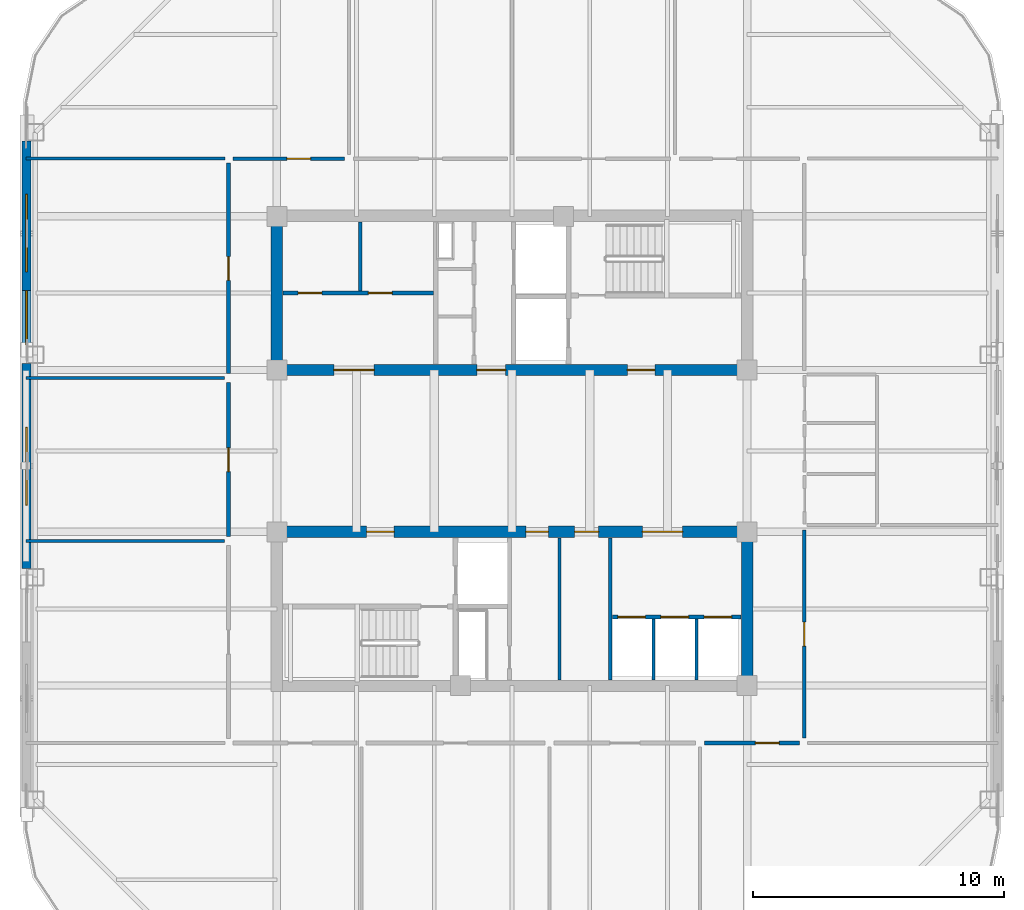
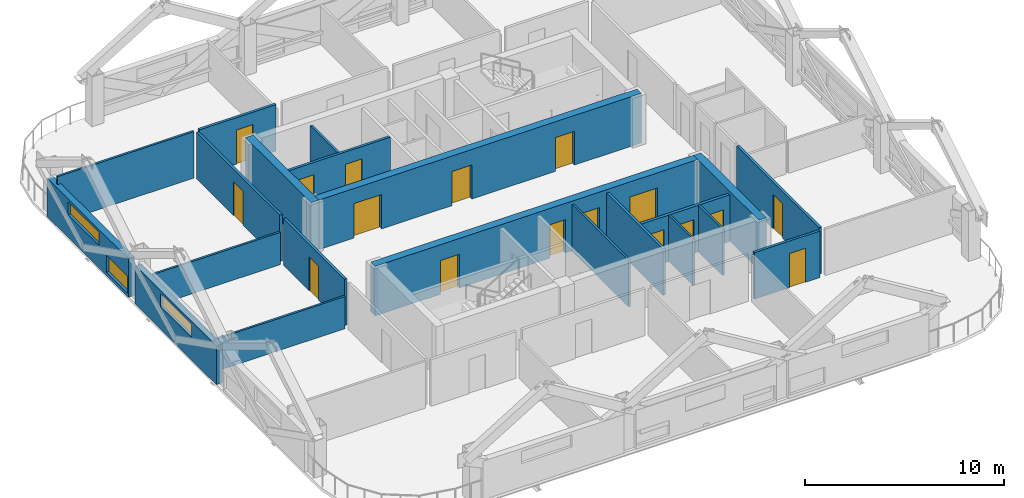
# One storey, part 4 of 9: 21 walls, 17 doors, 3 windows, 20 openings.
"""IFC4 building model written with IfcOpenShell, lengths in metres."""

from ifc_helpers import new_model, si_unit, direction, frame, frame_2d, origin, place, context, subcontext, project, spatial, rectangle, extrude, material, layer, layer_set, type_object, element, fill, save


model = new_model("IFC4")

# Units and contexts
model_context = context("Model", 3, precision=1e-05, world=origin(), true_north=direction((0.0, 1.0)))
body_context = subcontext(model_context, "Body", "Model", "MODEL_VIEW")
ifc_project = project(units=[si_unit("LENGTHUNIT", "METRE"), si_unit("AREAUNIT", "SQUARE_METRE"), si_unit("VOLUMEUNIT", "CUBIC_METRE"), si_unit("PLANEANGLEUNIT", "RADIAN"), si_unit("MASSUNIT", "GRAM", prefix="KILO")], contexts=[model_context])

# Site, building, storey
site_placement = place(None, origin())
site = spatial("IfcSite", under=ifc_project, at=site_placement, CompositionType="ELEMENT")
building_placement = place(site_placement, origin())
building = spatial("IfcBuilding", under=site, at=building_placement, Name="Qhalaya Broadcast Tower", CompositionType="ELEMENT")
storey_placement = place(building_placement, frame((0.0, 0.0, 217.800048828125)))
storey = spatial("IfcBuildingStorey", under=building, at=storey_placement, Name="L64", CompositionType="ELEMENT", Elevation=217.800048828125)

# Wall, openings, doors
ifc_material_1 = material(Name="Gypsum Acoustic Partition")
ifc_layer_1 = layer(ifc_material_1, 0.14990234375, Name="Gypsum Acoustic Partition")
ifc_layer_set_1 = layer_set([ifc_layer_1], Name="Gypsum Acoustic Partition")
wall_type_1 = type_object("IfcWallType", Name="Corridor & Tenancy Acoustic Partition 150", PredefinedType="PARTITIONING", material=ifc_layer_set_1)
wall_1_placement = place(storey_placement, frame((-9.1298828125, 6.89990234375, 0.0), z_axis=(0.0, 0.0, 1.0), x_axis=(1.0, 0.0, 0.0)))
wall_1 = element("IfcWall", 1, at=wall_1_placement, inside=storey, type_object=wall_type_1, Name="L64 Partition Wall NCW-REC1", PredefinedType="PARTITIONING", context=body_context, shape_type="SweptSolid", body=[
    extrude(rectangle(XDim=6.009765625, YDim=0.14990234375, at=frame_2d((3.0048828125, 0.0))), origin(), (0.0, 0.0, 1.0), 2.85986328125),
])
opening_1_placement = place(wall_1_placement, frame((0.60009765625, 0.0, 0.0)))
opening_1 = element("IfcOpeningElement", 2, at=opening_1_placement, cuts=wall_1, Name="Opening D10", PredefinedType="OPENING", context=body_context, shape_type="SweptSolid", body=[
    extrude(rectangle(XDim=0.949951171875, YDim=2.10009765625, at=frame_2d((0.47509765625, 1.050048828125))), frame((0.0, 0.0869140625, 0.0), z_axis=(0.0, -1.0, 0.0), x_axis=(1.0, 0.0, 0.0)), (0.0, 0.0, 1.0), 0.173828125),
])
opening_2_placement = place(wall_1_placement, frame((3.39990234375, 0.0, 0.0)))
opening_2 = element("IfcOpeningElement", 3, at=opening_2_placement, cuts=wall_1, Name="Opening D10", PredefinedType="OPENING", context=body_context, shape_type="SweptSolid", body=[
    extrude(rectangle(XDim=0.949951171875, YDim=2.10009765625, at=frame_2d((0.47509765625, 1.050048828125))), frame((0.0, 0.0869140625, 0.0), z_axis=(0.0, -1.0, 0.0), x_axis=(1.0, 0.0, 0.0)), (0.0, 0.0, 1.0), 0.173828125),
])
ifc_material_2 = material(Name="Timber Veneer Acoustic Door", Category="wood")
door_type_1 = type_object("IfcDoorType", Name="Cellular Office & Edit Booth Door D10", OperationType="NOTDEFINED", PredefinedType="DOOR", material=ifc_material_2)
door_1_placement = place(opening_1_placement, origin())
door_1 = element("IfcDoor", 4, at=door_1_placement, inside=storey, type_object=door_type_1, Name="L64 Door D-NREC1", OperationType="SINGLE_SWING_LEFT", OverallHeight=2.10009765625, OverallWidth=0.949951171875, PredefinedType="DOOR", context=body_context, shape_type="SweptSolid", body=[
    extrude(rectangle(XDim=0.949951171875, YDim=2.10009765625, at=frame_2d((0.47509765625, 1.050048828125))), frame((0.0, 0.02490234375, 0.0), z_axis=(0.0, -1.0, 0.0), x_axis=(1.0, 0.0, 0.0)), (0.0, 0.0, 1.0), 0.050048828125),
])
fill(opening_1, door_1)
door_2_placement = place(opening_2_placement, origin())
door_2 = element("IfcDoor", 5, at=door_2_placement, inside=storey, type_object=door_type_1, Name="L64 Door D-NREC2", OperationType="SINGLE_SWING_RIGHT", OverallHeight=2.10009765625, OverallWidth=0.949951171875, PredefinedType="DOOR", context=body_context, shape_type="SweptSolid", body=[
    extrude(rectangle(XDim=0.949951171875, YDim=2.10009765625, at=frame_2d((0.47509765625, 1.050048828125))), frame((0.0, 0.02490234375, 0.0), z_axis=(0.0, -1.0, 0.0), x_axis=(1.0, 0.0, 0.0)), (0.0, 0.0, 1.0), 0.050048828125),
])
fill(opening_2, door_2)

# Wall
wall_2_placement = place(storey_placement, frame((3.919921875, -8.530029296875, 0.0), z_axis=(0.0, 0.0, 1.0), x_axis=(0.0, 1.0, 0.0)))
element("IfcWall", 6, at=wall_2_placement, inside=storey, type_object=wall_type_1, Name="L64 Partition Wall SCW-HSEP", PredefinedType="PARTITIONING", context=body_context, shape_type="SweptSolid", body=[
    extrude(rectangle(XDim=5.659912109375, YDim=0.14990234375, at=frame_2d((2.830078125, 0.0))), origin(), (0.0, 0.0, 1.0), 2.85986328125),
])

# Wall, opening, door
wall_3_placement = place(storey_placement, frame((-11.1201171875, 12.25, 0.0), z_axis=(0.0, 0.0, 1.0), x_axis=(1.0, 0.0, 0.0)))
wall_3 = element("IfcWall", 7, at=wall_3_placement, inside=storey, type_object=wall_type_1, Name="L64 Partition Wall W-COR-01", PredefinedType="PARTITIONING", context=body_context, shape_type="SweptSolid", body=[
    extrude(rectangle(XDim=4.440185546875, YDim=0.14990234375, at=frame_2d((2.22021484375, 0.0))), origin(), (0.0, 0.0, 1.0), 2.85986328125),
])
opening_3_placement = place(wall_3_placement, frame((2.14501953125, 0.0, 0.0)))
opening_3 = element("IfcOpeningElement", 8, at=opening_3_placement, cuts=wall_3, Name="Opening D10", PredefinedType="OPENING", context=body_context, shape_type="SweptSolid", body=[
    extrude(rectangle(XDim=0.949951171875, YDim=2.10009765625, at=frame_2d((0.47509765625, 1.050048828125))), frame((0.0, 0.0869140625, 0.0), z_axis=(0.0, -1.0, 0.0), x_axis=(1.0, 0.0, 0.0)), (0.0, 0.0, 1.0), 0.173828125),
])
door_3_placement = place(opening_3_placement, origin())
door_3 = element("IfcDoor", 9, at=door_3_placement, inside=storey, type_object=door_type_1, Name="L64 Door D-RM01", OperationType="SINGLE_SWING_RIGHT", OverallHeight=2.10009765625, OverallWidth=0.949951171875, PredefinedType="DOOR", context=body_context, shape_type="SweptSolid", body=[
    extrude(rectangle(XDim=0.949951171875, YDim=2.10009765625, at=frame_2d((0.47509765625, 1.050048828125))), frame((0.0, 0.02490234375, 0.0), z_axis=(0.0, -1.0, 0.0), x_axis=(1.0, 0.0, 0.0)), (0.0, 0.0, 1.0), 0.050048828125),
])
fill(opening_3, door_3)

wall_4_placement = place(storey_placement, frame((7.679931640625, -11.050048828125, 0.0), z_axis=(0.0, 0.0, 1.0), x_axis=(1.0, 0.0, 0.0)))
wall_4 = element("IfcWall", 10, at=wall_4_placement, inside=storey, type_object=wall_type_1, Name="L64 Partition Wall W-COR-08", PredefinedType="PARTITIONING", context=body_context, shape_type="SweptSolid", body=[
    extrude(rectangle(XDim=3.7900390625, YDim=0.14990234375, at=frame_2d((1.89501953125, 0.0))), origin(), (0.0, 0.0, 1.0), 2.85986328125),
])
opening_4_placement = place(wall_4_placement, frame((2.02001953125, 0.0, 0.0)))
opening_4 = element("IfcOpeningElement", 11, at=opening_4_placement, cuts=wall_4, Name="Opening D10", PredefinedType="OPENING", context=body_context, shape_type="SweptSolid", body=[
    extrude(rectangle(XDim=0.949951171875, YDim=2.10009765625, at=frame_2d((0.47509765625, 1.050048828125))), frame((0.0, 0.0869140625, 0.0), z_axis=(0.0, -1.0, 0.0), x_axis=(1.0, 0.0, 0.0)), (0.0, 0.0, 1.0), 0.173828125),
])
door_4_placement = place(opening_4_placement, origin())
door_4 = element("IfcDoor", 12, at=door_4_placement, inside=storey, type_object=door_type_1, Name="L64 Door D-RM08", OperationType="SINGLE_SWING_LEFT", OverallHeight=2.10009765625, OverallWidth=0.949951171875, PredefinedType="DOOR", context=body_context, shape_type="SweptSolid", body=[
    extrude(rectangle(XDim=0.949951171875, YDim=2.10009765625, at=frame_2d((0.47509765625, 1.050048828125))), frame((0.0, 0.02490234375, 0.0), z_axis=(0.0, -1.0, 0.0), x_axis=(1.0, 0.0, 0.0)), (0.0, 0.0, 1.0), 0.050048828125),
])
fill(opening_4, door_4)

wall_5_placement = place(storey_placement, frame((-11.300048828125, -2.820068359375, 0.0), z_axis=(0.0, 0.0, 1.0), x_axis=(0.0, 1.0, 0.0)))
wall_5 = element("IfcWall", 13, at=wall_5_placement, inside=storey, type_object=wall_type_1, Name="L64 Partition Wall W-COR-10", PredefinedType="PARTITIONING", context=body_context, shape_type="SweptSolid", body=[
    extrude(rectangle(XDim=6.14013671875, YDim=0.14990234375, at=frame_2d((3.070068359375, 0.0))), origin(), (0.0, 0.0, 1.0), 2.85986328125),
])
opening_5_placement = place(wall_5_placement, frame((2.594970703125, 0.0, 0.0)))
opening_5 = element("IfcOpeningElement", 14, at=opening_5_placement, cuts=wall_5, Name="Opening D10", PredefinedType="OPENING", context=body_context, shape_type="SweptSolid", body=[
    extrude(rectangle(XDim=0.949951171875, YDim=2.10009765625, at=frame_2d((0.47509765625, 1.050048828125))), frame((0.0, 0.0869140625, 0.0), z_axis=(0.0, -1.0, 0.0), x_axis=(1.0, 0.0, 0.0)), (0.0, 0.0, 1.0), 0.173828125),
])
door_5_placement = place(opening_5_placement, origin())
door_5 = element("IfcDoor", 15, at=door_5_placement, inside=storey, type_object=door_type_1, Name="L64 Door D-RM10", OperationType="SINGLE_SWING_LEFT", OverallHeight=2.10009765625, OverallWidth=0.949951171875, PredefinedType="DOOR", context=body_context, shape_type="SweptSolid", body=[
    extrude(rectangle(XDim=0.949951171875, YDim=2.10009765625, at=frame_2d((0.47509765625, 1.050048828125))), frame((0.0, 0.02490234375, 0.0), z_axis=(0.0, -1.0, 0.0), x_axis=(1.0, 0.0, 0.0)), (0.0, 0.0, 1.0), 0.050048828125),
])
fill(opening_5, door_5)

wall_6_placement = place(storey_placement, frame((-11.300048828125, 3.679931640625, 0.0), z_axis=(0.0, 0.0, 1.0), x_axis=(0.0, 1.0, 0.0)))
wall_6 = element("IfcWall", 16, at=wall_6_placement, inside=storey, type_object=wall_type_1, Name="L64 Partition Wall W-COR-11", PredefinedType="PARTITIONING", context=body_context, shape_type="SweptSolid", body=[
    extrude(rectangle(XDim=8.39013671875, YDim=0.14990234375, at=frame_2d((4.195068359375, 0.0))), origin(), (0.0, 0.0, 1.0), 2.85986328125),
])
opening_6_placement = place(wall_6_placement, frame((3.719970703125, 0.0, 0.0)))
opening_6 = element("IfcOpeningElement", 17, at=opening_6_placement, cuts=wall_6, Name="Opening D10", PredefinedType="OPENING", context=body_context, shape_type="SweptSolid", body=[
    extrude(rectangle(XDim=0.949951171875, YDim=2.10009765625, at=frame_2d((0.47509765625, 1.050048828125))), frame((0.0, 0.0869140625, 0.0), z_axis=(0.0, -1.0, 0.0), x_axis=(1.0, 0.0, 0.0)), (0.0, 0.0, 1.0), 0.173828125),
])
door_6_placement = place(opening_6_placement, origin())
door_6 = element("IfcDoor", 18, at=door_6_placement, inside=storey, type_object=door_type_1, Name="L64 Door D-RM11", OperationType="SINGLE_SWING_RIGHT", OverallHeight=2.10009765625, OverallWidth=0.949951171875, PredefinedType="DOOR", context=body_context, shape_type="SweptSolid", body=[
    extrude(rectangle(XDim=0.949951171875, YDim=2.10009765625, at=frame_2d((0.47509765625, 1.050048828125))), frame((0.0, 0.02490234375, 0.0), z_axis=(0.0, -1.0, 0.0), x_axis=(1.0, 0.0, 0.0)), (0.0, 0.0, 1.0), 0.050048828125),
])
fill(opening_6, door_6)

wall_7_placement = place(storey_placement, frame((11.64990234375, -10.85009765625, 0.0), z_axis=(0.0, 0.0, 1.0), x_axis=(0.0, 1.0, 0.0)))
wall_7 = element("IfcWall", 19, at=wall_7_placement, inside=storey, type_object=wall_type_1, Name="L64 Partition Wall W-COR-12", PredefinedType="PARTITIONING", context=body_context, shape_type="SweptSolid", body=[
    extrude(rectangle(XDim=8.2900390625, YDim=0.14990234375, at=frame_2d((4.14501953125, 0.0))), origin(), (0.0, 0.0, 1.0), 2.85986328125),
])
opening_7_placement = place(wall_7_placement, frame((3.669921875, 0.0, 0.0)))
opening_7 = element("IfcOpeningElement", 20, at=opening_7_placement, cuts=wall_7, Name="Opening D10", PredefinedType="OPENING", context=body_context, shape_type="SweptSolid", body=[
    extrude(rectangle(XDim=0.949951171875, YDim=2.10009765625, at=frame_2d((0.47509765625, 1.050048828125))), frame((0.0, 0.0869140625, 0.0), z_axis=(0.0, -1.0, 0.0), x_axis=(1.0, 0.0, 0.0)), (0.0, 0.0, 1.0), 0.173828125),
])
door_7_placement = place(opening_7_placement, origin())
door_7 = element("IfcDoor", 21, at=door_7_placement, inside=storey, type_object=door_type_1, Name="L64 Door D-RM12", OperationType="SINGLE_SWING_LEFT", OverallHeight=2.10009765625, OverallWidth=0.949951171875, PredefinedType="DOOR", context=body_context, shape_type="SweptSolid", body=[
    extrude(rectangle(XDim=0.949951171875, YDim=2.10009765625, at=frame_2d((0.47509765625, 1.050048828125))), frame((0.0, 0.02490234375, 0.0), z_axis=(0.0, -1.0, 0.0), x_axis=(1.0, 0.0, 0.0)), (0.0, 0.0, 1.0), 0.050048828125),
])
fill(opening_7, door_7)

# Wall, opening, window
ifc_material_3 = material(Name="Precast Concrete C40/50", Category="concrete")
ifc_layer_2 = layer(ifc_material_3, 0.360107421875, Name="Precast Concrete C40/50")
ifc_layer_set_2 = layer_set([ifc_layer_2], Name="Precast Concrete C40/50")
wall_type_2 = type_object("IfcWallType", Name="Insulated Precast Terracotta Exterior Wall 360", PredefinedType="SOLIDWALL", material=ifc_layer_set_2)
wall_8_placement = place(storey_placement, frame((-19.360107421875, -4.083251953125, 0.0), z_axis=(0.0, 0.0, 1.0), x_axis=(0.0, 1.0, 0.0)))
wall_8 = element("IfcWall", 22, at=wall_8_placement, inside=storey, type_object=wall_type_2, Name="L64 Exoskeleton Diagrid Infill Wall W2", PredefinedType="SOLIDWALL", context=body_context, shape_type="SweptSolid", body=[
    extrude(rectangle(XDim=8.16650390625, YDim=0.360107421875, at=frame_2d((4.083251953125, 0.0))), origin(), (0.0, 0.0, 1.0), 2.3740234375),
])
opening_8_placement = place(wall_8_placement, frame((2.52099609375, 0.0, 1.39990234375)))
opening_8 = element("IfcOpeningElement", 23, at=opening_8_placement, cuts=wall_8, Name="Opening W13", PredefinedType="OPENING", context=body_context, shape_type="SweptSolid", body=[
    extrude(rectangle(XDim=3.10009765625, YDim=0.800048828125, at=frame_2d((1.550048828125, 0.39990234375))), frame((0.0, 0.192138671875, 0.0), z_axis=(0.0, -1.0, 0.0), x_axis=(1.0, 0.0, 0.0)), (0.0, 0.0, 1.0), 0.384033203125),
])
ifc_material_4 = material(Name="Solar-Control Low-E Triple Glazing", Category="glass")
window_type = type_object("IfcWindowType", Name="Upper-Block Diagrid Infill Window W13", PartitioningType="SINGLE_PANEL", PredefinedType="WINDOW", material=ifc_material_4)
window_1_placement = place(opening_8_placement, origin())
window_1 = element("IfcWindow", 24, at=window_1_placement, inside=storey, type_object=window_type, Name="L64 Diagrid Infill Window W13-W3", OverallHeight=0.800048828125, OverallWidth=3.10009765625, PartitioningType="SINGLE_PANEL", PredefinedType="WINDOW", context=body_context, shape_type="SweptSolid", body=[
    extrude(rectangle(XDim=3.10009765625, YDim=0.800048828125, at=frame_2d((1.550048828125, 0.39990234375))), frame((0.0, 0.030029296875, 0.0), z_axis=(0.0, -1.0, 0.0), x_axis=(1.0, 0.0, 0.0)), (0.0, 0.0, 1.0), 0.06005859375),
])
fill(opening_8, window_1)

# Wall, openings, windows
wall_9_placement = place(storey_placement, frame((-19.360107421875, 4.783203125, 0.0), z_axis=(0.0, 0.0, 1.0), x_axis=(0.0, 1.0, 0.0)))
wall_9 = element("IfcWall", 25, at=wall_9_placement, inside=storey, type_object=wall_type_2, Name="L64 Exoskeleton Diagrid Infill Wall W3", PredefinedType="SOLIDWALL", context=body_context, shape_type="SweptSolid", body=[
    extrude(rectangle(XDim=8.1787109375, YDim=0.360107421875, at=frame_2d((4.08935546875, 0.0))), origin(), (0.0, 0.0, 1.0), 2.3740234375),
])
opening_9_placement = place(wall_9_placement, frame((0.054931640625, 0.0, 0.199951171875)))
opening_9 = element("IfcOpeningElement", 26, at=opening_9_placement, cuts=wall_9, Name="Opening W13", PredefinedType="OPENING", context=body_context, shape_type="SweptSolid", body=[
    extrude(rectangle(XDim=2.14990234375, YDim=1.050048828125, at=frame_2d((1.074951171875, 0.52490234375))), frame((0.0, 0.192138671875, 0.0), z_axis=(0.0, -1.0, 0.0), x_axis=(1.0, 0.0, 0.0)), (0.0, 0.0, 1.0), 0.384033203125),
])
opening_10_placement = place(wall_9_placement, frame((2.955078125, 0.0, 1.39990234375)))
opening_10 = element("IfcOpeningElement", 27, at=opening_10_placement, cuts=wall_9, Name="Opening W13", PredefinedType="OPENING", context=body_context, shape_type="SweptSolid", body=[
    extrude(rectangle(XDim=3.10009765625, YDim=0.800048828125, at=frame_2d((1.550048828125, 0.39990234375))), frame((0.0, 0.192138671875, 0.0), z_axis=(0.0, -1.0, 0.0), x_axis=(1.0, 0.0, 0.0)), (0.0, 0.0, 1.0), 0.384033203125),
])
window_2_placement = place(opening_9_placement, origin())
window_2 = element("IfcWindow", 28, at=window_2_placement, inside=storey, type_object=window_type, Name="L64 Diagrid Infill Window W13-W4", OverallHeight=1.050048828125, OverallWidth=2.14990234375, PartitioningType="SINGLE_PANEL", PredefinedType="WINDOW", context=body_context, shape_type="SweptSolid", body=[
    extrude(rectangle(XDim=2.14990234375, YDim=1.050048828125, at=frame_2d((1.074951171875, 0.52490234375))), frame((0.0, 0.030029296875, 0.0), z_axis=(0.0, -1.0, 0.0), x_axis=(1.0, 0.0, 0.0)), (0.0, 0.0, 1.0), 0.06005859375),
])
fill(opening_9, window_2)
window_3_placement = place(opening_10_placement, origin())
window_3 = element("IfcWindow", 29, at=window_3_placement, inside=storey, type_object=window_type, Name="L64 Diagrid Infill Window W13-W5", OverallHeight=0.800048828125, OverallWidth=3.10009765625, PartitioningType="SINGLE_PANEL", PredefinedType="WINDOW", context=body_context, shape_type="SweptSolid", body=[
    extrude(rectangle(XDim=3.10009765625, YDim=0.800048828125, at=frame_2d((1.550048828125, 0.39990234375))), frame((0.0, 0.030029296875, 0.0), z_axis=(0.0, -1.0, 0.0), x_axis=(1.0, 0.0, 0.0)), (0.0, 0.0, 1.0), 0.06005859375),
])
fill(opening_10, window_3)

# Walls
ifc_layer_3 = layer(ifc_material_1, 0.1201171875, Name="Gypsum Acoustic Partition")
ifc_layer_set_3 = layer_set([ifc_layer_3], Name="Gypsum Acoustic Partition")
wall_type_3 = type_object("IfcWallType", Name="Office, Booth & Sanitary Partition 120", PredefinedType="PARTITIONING", material=ifc_layer_set_3)
wall_10_placement = place(storey_placement, frame((-6.050048828125, 6.97998046875, 0.0), z_axis=(0.0, 0.0, 1.0), x_axis=(0.0, 1.0, 0.0)))
element("IfcWall", 30, at=wall_10_placement, inside=storey, type_object=wall_type_3, Name="L64 Partition Wall NCW-REC2", PredefinedType="PARTITIONING", context=body_context, shape_type="SweptSolid", body=[
    extrude(rectangle(XDim=2.75, YDim=0.1201171875, at=frame_2d((1.375, 0.0))), origin(), (0.0, 0.0, 1.0), 2.85986328125),
])
wall_11_placement = place(storey_placement, frame((1.89990234375, -8.530029296875, 0.0), z_axis=(0.0, 0.0, 1.0), x_axis=(0.0, 1.0, 0.0)))
element("IfcWall", 31, at=wall_11_placement, inside=storey, type_object=wall_type_3, Name="L64 Partition Wall SCW-RKB", PredefinedType="PARTITIONING", context=body_context, shape_type="SweptSolid", body=[
    extrude(rectangle(XDim=5.659912109375, YDim=0.1201171875, at=frame_2d((2.830078125, 0.0))), origin(), (0.0, 0.0, 1.0), 2.85986328125),
])
for number, where, z_axis, x_axis, name in (
    (32, (5.639892578125, -8.530029296875, 0.0), (0.0, 0.0, 1.0), (0.0, 1.0, 0.0), "L64 Partition Wall SCW-HD6"),
    (33, (7.360107421875, -8.530029296875, 0.0), (0.0, 0.0, 1.0), (0.0, 1.0, 0.0), "L64 Partition Wall SCW-HD7"),
):
    element("IfcWall", number, at=place(storey_placement, frame(where, z_axis=z_axis, x_axis=x_axis)), inside=storey, type_object=wall_type_3, Name=name, PredefinedType="PARTITIONING", context=body_context, shape_type="SweptSolid", body=[
        extrude(rectangle(XDim=2.429931640625, YDim=0.1201171875, at=frame_2d((1.21484375, 0.0))), origin(), (0.0, 0.0, 1.0), 2.85986328125),
    ])
wall_12_placement = place(storey_placement, frame((-19.3798828125, 12.25, 0.0), z_axis=(0.0, 0.0, 1.0), x_axis=(1.0, 0.0, 0.0)))
element("IfcWall", 34, at=wall_12_placement, inside=storey, type_object=wall_type_3, Name="L64 Partition Wall W-BNDW1", PredefinedType="PARTITIONING", context=body_context, shape_type="SweptSolid", body=[
    extrude(rectangle(XDim=7.93994140625, YDim=0.1201171875, at=frame_2d((3.969970703125, 0.0))), origin(), (0.0, 0.0, 1.0), 2.85986328125),
])
for number, where, z_axis, x_axis, name in (
    (35, (-19.3798828125, -3.0, 0.0), (0.0, 0.0, 1.0), (1.0, 0.0, 0.0), "L64 Partition Wall W-DIVW1"),
    (36, (-19.3798828125, 3.5, 0.0), (0.0, 0.0, 1.0), (1.0, 0.0, 0.0), "L64 Partition Wall W-DIVW2"),
):
    element("IfcWall", number, at=place(storey_placement, frame(where, z_axis=z_axis, x_axis=x_axis)), inside=storey, type_object=wall_type_3, Name=name, PredefinedType="PARTITIONING", context=body_context, shape_type="SweptSolid", body=[
        extrude(rectangle(XDim=7.919921875, YDim=0.1201171875, at=frame_2d((3.9599609375, 0.0))), origin(), (0.0, 0.0, 1.0), 1.98095703125),
    ])

# Wall, openings, doors
ifc_layer_4 = layer(ifc_material_1, 0.175048828125, Name="Gypsum Acoustic Partition")
ifc_layer_set_4 = layer_set([ifc_layer_4], Name="Gypsum Acoustic Partition")
wall_type_4 = type_object("IfcWallType", Name="Shaft & Riser Fire Partition 175", PredefinedType="PARTITIONING", material=ifc_layer_set_4)
wall_13_placement = place(storey_placement, frame((4.0, -6.02001953125, 0.0), z_axis=(0.0, 0.0, 1.0), x_axis=(1.0, 0.0, 0.0)))
wall_13 = element("IfcWall", 37, at=wall_13_placement, inside=storey, type_object=wall_type_4, Name="L64 Partition Wall SCW-SLB", PredefinedType="PARTITIONING", context=body_context, shape_type="SweptSolid", body=[
    extrude(rectangle(XDim=5.1298828125, YDim=0.175048828125, at=frame_2d((2.56494140625, 0.0))), origin(), (0.0, 0.0, 1.0), 2.85986328125),
])
opening_11_placement = place(wall_13_placement, frame((0.219970703125, 0.0, 0.0)))
opening_11 = element("IfcOpeningElement", 38, at=opening_11_placement, cuts=wall_13, Name="Opening LD1", PredefinedType="OPENING", context=body_context, shape_type="SweptSolid", body=[
    extrude(rectangle(XDim=1.10009765625, YDim=2.06005859375, at=frame_2d((0.550048828125, 1.030029296875))), frame((0.0, 0.099609375, 0.0), z_axis=(0.0, -1.0, 0.0), x_axis=(1.0, 0.0, 0.0)), (0.0, 0.0, 1.0), 0.198974609375),
])
opening_12_placement = place(wall_13_placement, frame((1.93994140625, 0.0, 0.0)))
opening_12 = element("IfcOpeningElement", 39, at=opening_12_placement, cuts=wall_13, Name="Opening LD1", PredefinedType="OPENING", context=body_context, shape_type="SweptSolid", body=[
    extrude(rectangle(XDim=1.10009765625, YDim=2.06005859375, at=frame_2d((0.550048828125, 1.030029296875))), frame((0.0, 0.099609375, 0.0), z_axis=(0.0, -1.0, 0.0), x_axis=(1.0, 0.0, 0.0)), (0.0, 0.0, 1.0), 0.198974609375),
])
opening_13_placement = place(wall_13_placement, frame((3.659912109375, 0.0, 0.0)))
opening_13 = element("IfcOpeningElement", 40, at=opening_13_placement, cuts=wall_13, Name="Opening LD1", PredefinedType="OPENING", context=body_context, shape_type="SweptSolid", body=[
    extrude(rectangle(XDim=1.10009765625, YDim=2.06005859375, at=frame_2d((0.550048828125, 1.030029296875))), frame((0.0, 0.099609375, 0.0), z_axis=(0.0, -1.0, 0.0), x_axis=(1.0, 0.0, 0.0)), (0.0, 0.0, 1.0), 0.198974609375),
])
ifc_material_5 = material(Name="Brushed Stainless Steel Lift Door", Category="steel")
door_type_2 = type_object("IfcDoorType", Name="Passenger Lift Sliding Landing Door LD1", OperationType="DOUBLE_DOOR_SLIDING", PredefinedType="DOOR", material=ifc_material_5)
door_8_placement = place(opening_11_placement, origin())
door_8 = element("IfcDoor", 41, at=door_8_placement, inside=storey, type_object=door_type_2, Name="L64 Door LD-P6", OperationType="DOUBLE_DOOR_SLIDING", OverallHeight=2.06005859375, OverallWidth=1.10009765625, PredefinedType="DOOR", context=body_context, shape_type="SweptSolid", body=[
    extrude(rectangle(XDim=1.10009765625, YDim=2.06005859375, at=frame_2d((0.550048828125, 1.030029296875))), frame((0.0, 0.02490234375, 0.0), z_axis=(0.0, -1.0, 0.0), x_axis=(1.0, 0.0, 0.0)), (0.0, 0.0, 1.0), 0.050048828125),
])
fill(opening_11, door_8)
door_9_placement = place(opening_12_placement, origin())
door_9 = element("IfcDoor", 42, at=door_9_placement, inside=storey, type_object=door_type_2, Name="L64 Door LD-P7", OperationType="DOUBLE_DOOR_SLIDING", OverallHeight=2.06005859375, OverallWidth=1.10009765625, PredefinedType="DOOR", context=body_context, shape_type="SweptSolid", body=[
    extrude(rectangle(XDim=1.10009765625, YDim=2.06005859375, at=frame_2d((0.550048828125, 1.030029296875))), frame((0.0, 0.02490234375, 0.0), z_axis=(0.0, -1.0, 0.0), x_axis=(1.0, 0.0, 0.0)), (0.0, 0.0, 1.0), 0.050048828125),
])
fill(opening_12, door_9)
door_10_placement = place(opening_13_placement, origin())
door_10 = element("IfcDoor", 43, at=door_10_placement, inside=storey, type_object=door_type_2, Name="L64 Door LD-P8", OperationType="DOUBLE_DOOR_SLIDING", OverallHeight=2.06005859375, OverallWidth=1.10009765625, PredefinedType="DOOR", context=body_context, shape_type="SweptSolid", body=[
    extrude(rectangle(XDim=1.10009765625, YDim=2.06005859375, at=frame_2d((0.550048828125, 1.030029296875))), frame((0.0, 0.02490234375, 0.0), z_axis=(0.0, -1.0, 0.0), x_axis=(1.0, 0.0, 0.0)), (0.0, 0.0, 1.0), 0.050048828125),
])
fill(opening_13, door_10)

ifc_material_6 = material(Name="Concrete C50/60", Category="concrete")
ifc_layer_5 = layer(ifc_material_6, 0.449951171875, Name="Concrete C50/60")
ifc_layer_set_5 = layer_set([ifc_layer_5], Name="Concrete C50/60")
wall_type_5 = type_object("IfcWallType", Name="Upper Split-Core Shear Wall 450", PredefinedType="SHEAR", material=ifc_layer_set_5)
wall_14_placement = place(storey_placement, frame((-9.60009765625, 3.824951171875, 0.0), z_axis=(0.0, 0.0, 1.0), x_axis=(1.0, 0.0, 0.0)))
wall_14 = element("IfcWall", 44, at=wall_14_placement, inside=storey, type_object=wall_type_5, Name="L64 Split-Core Shear Wall CW-NS", PredefinedType="SHEAR", context=body_context, shape_type="SweptSolid", body=[
    extrude(rectangle(XDim=19.2001953125, YDim=0.449951171875, at=frame_2d((9.60009765625, 0.0))), origin(), (0.0, 0.0, 1.0), 3.050048828125),
])
opening_14_placement = place(wall_14_placement, frame((14.199951171875, 0.0, 0.0)))
opening_14 = element("IfcOpeningElement", 45, at=opening_14_placement, cuts=wall_14, Name="Opening D04", PredefinedType="OPENING", context=body_context, shape_type="SweptSolid", body=[
    extrude(rectangle(XDim=1.10009765625, YDim=2.080078125, at=frame_2d((0.550048828125, 1.0400390625))), frame((0.0, 0.237060546875, 0.0), z_axis=(0.0, -1.0, 0.0), x_axis=(1.0, 0.0, 0.0)), (0.0, 0.0, 1.0), 0.473876953125),
])
opening_15_placement = place(wall_14_placement, frame((8.199951171875, 0.0, 0.0)))
opening_15 = element("IfcOpeningElement", 46, at=opening_15_placement, cuts=wall_14, Name="Opening D05", PredefinedType="OPENING", context=body_context, shape_type="SweptSolid", body=[
    extrude(rectangle(XDim=1.14990234375, YDim=2.10009765625, at=frame_2d((0.574951171875, 1.050048828125))), frame((0.0, 0.237060546875, 0.0), z_axis=(0.0, -1.0, 0.0), x_axis=(1.0, 0.0, 0.0)), (0.0, 0.0, 1.0), 0.473876953125),
])
opening_16_placement = place(wall_14_placement, frame((2.5, 0.0, 0.0)))
opening_16 = element("IfcOpeningElement", 47, at=opening_16_placement, cuts=wall_14, Name="Opening D07", PredefinedType="OPENING", context=body_context, shape_type="SweptSolid", body=[
    extrude(rectangle(XDim=1.60009765625, YDim=2.1201171875, at=frame_2d((0.800048828125, 1.06005859375))), frame((0.0, 0.237060546875, 0.0), z_axis=(0.0, -1.0, 0.0), x_axis=(1.0, 0.0, 0.0)), (0.0, 0.0, 1.0), 0.473876953125),
])
ifc_material_7 = material(Name="Fire-Rated Steel Door", Category="steel")
door_type_3 = type_object("IfcDoorType", Name="Firefighting Lobby Rated Door D04", OperationType="NOTDEFINED", PredefinedType="DOOR", material=ifc_material_7)
door_11_placement = place(opening_14_placement, origin())
door_11 = element("IfcDoor", 48, at=door_11_placement, inside=storey, type_object=door_type_3, Name="L64 Door D-NFF", OperationType="SINGLE_SWING_RIGHT", OverallHeight=2.080078125, OverallWidth=1.10009765625, PredefinedType="DOOR", context=body_context, shape_type="SweptSolid", body=[
    extrude(rectangle(XDim=1.10009765625, YDim=2.080078125, at=frame_2d((0.550048828125, 1.0400390625))), frame((0.0, 0.02490234375, 0.0), z_axis=(0.0, -1.0, 0.0), x_axis=(1.0, 0.0, 0.0)), (0.0, 0.0, 1.0), 0.050048828125),
])
fill(opening_14, door_11)
ifc_material_8 = material(Name="Anodised Aluminium Glazed Door", Category="aluminium")
door_type_4 = type_object("IfcDoorType", Name="Passenger Lift Lobby Double Glazed Door D07", OperationType="DOUBLE_DOOR_SINGLE_SWING", PredefinedType="DOOR", material=ifc_material_8)
door_12_placement = place(opening_16_placement, origin())
door_12 = element("IfcDoor", 49, at=door_12_placement, inside=storey, type_object=door_type_4, Name="L64 Door D-NRECV", OperationType="DOUBLE_DOOR_SINGLE_SWING", OverallHeight=2.1201171875, OverallWidth=1.60009765625, PredefinedType="DOOR", context=body_context, shape_type="SweptSolid", body=[
    extrude(rectangle(XDim=1.60009765625, YDim=2.1201171875, at=frame_2d((0.800048828125, 1.06005859375))), frame((0.0, 0.02490234375, 0.0), z_axis=(0.0, -1.0, 0.0), x_axis=(1.0, 0.0, 0.0)), (0.0, 0.0, 1.0), 0.050048828125),
])
fill(opening_16, door_12)
door_type_5 = type_object("IfcDoorType", Name="Refuge & Plant Room Fire Door D05", OperationType="NOTDEFINED", PredefinedType="DOOR", material=ifc_material_7)
door_13_placement = place(opening_15_placement, origin())
door_13 = element("IfcDoor", 50, at=door_13_placement, inside=storey, type_object=door_type_5, Name="L64 Door D-NSVL", OperationType="SINGLE_SWING_LEFT", OverallHeight=2.10009765625, OverallWidth=1.14990234375, PredefinedType="DOOR", context=body_context, shape_type="SweptSolid", body=[
    extrude(rectangle(XDim=1.14990234375, YDim=2.10009765625, at=frame_2d((0.574951171875, 1.050048828125))), frame((0.0, 0.02490234375, 0.0), z_axis=(0.0, -1.0, 0.0), x_axis=(1.0, 0.0, 0.0)), (0.0, 0.0, 1.0), 0.050048828125),
])
fill(opening_15, door_13)

# Wall
wall_15_placement = place(storey_placement, frame((-9.375, 3.60009765625, 0.0), z_axis=(0.0, 0.0, 1.0), x_axis=(0.0, 1.0, 0.0)))
element("IfcWall", 51, at=wall_15_placement, inside=storey, type_object=wall_type_5, Name="L64 Split-Core Shear Wall CW-NW", PredefinedType="SHEAR", context=body_context, shape_type="SweptSolid", body=[
    extrude(rectangle(XDim=6.599853515625, YDim=0.449951171875, at=frame_2d((3.2998046875, 0.0))), origin(), (0.0, 0.0, 1.0), 3.050048828125),
])

# Wall, openings, doors
wall_16_placement = place(storey_placement, frame((-9.60009765625, -2.625, 0.0), z_axis=(0.0, 0.0, 1.0), x_axis=(1.0, 0.0, 0.0)))
wall_16 = element("IfcWall", 52, at=wall_16_placement, inside=storey, type_object=wall_type_5, Name="L64 Split-Core Shear Wall CW-SN", PredefinedType="SHEAR", context=body_context, shape_type="SweptSolid", body=[
    extrude(rectangle(XDim=19.2001953125, YDim=0.449951171875, at=frame_2d((9.60009765625, 0.0))), origin(), (0.0, 0.0, 1.0), 3.050048828125),
])
opening_17_placement = place(wall_16_placement, frame((3.800048828125, 0.0, 0.0)))
opening_17 = element("IfcOpeningElement", 53, at=opening_17_placement, cuts=wall_16, Name="Opening D04", PredefinedType="OPENING", context=body_context, shape_type="SweptSolid", body=[
    extrude(rectangle(XDim=1.10009765625, YDim=2.080078125, at=frame_2d((0.550048828125, 1.0400390625))), frame((0.0, 0.237060546875, 0.0), z_axis=(0.0, -1.0, 0.0), x_axis=(1.0, 0.0, 0.0)), (0.0, 0.0, 1.0), 0.473876953125),
])
opening_18_placement = place(wall_16_placement, frame((10.14990234375, 0.0, 0.0)))
opening_18 = element("IfcOpeningElement", 54, at=opening_18_placement, cuts=wall_16, Name="Opening D06", PredefinedType="OPENING", context=body_context, shape_type="SweptSolid", body=[
    extrude(rectangle(XDim=0.89990234375, YDim=2.050048828125, at=frame_2d((0.449951171875, 1.02490234375))), frame((0.0, 0.237060546875, 0.0), z_axis=(0.0, -1.0, 0.0), x_axis=(1.0, 0.0, 0.0)), (0.0, 0.0, 1.0), 0.473876953125),
])
opening_19_placement = place(wall_16_placement, frame((12.10009765625, 0.0, 0.0)))
opening_19 = element("IfcOpeningElement", 55, at=opening_19_placement, cuts=wall_16, Name="Opening D10", PredefinedType="OPENING", context=body_context, shape_type="SweptSolid", body=[
    extrude(rectangle(XDim=0.949951171875, YDim=2.10009765625, at=frame_2d((0.47509765625, 1.050048828125))), frame((0.0, 0.237060546875, 0.0), z_axis=(0.0, -1.0, 0.0), x_axis=(1.0, 0.0, 0.0)), (0.0, 0.0, 1.0), 0.473876953125),
])
opening_20_placement = place(wall_16_placement, frame((14.800048828125, 0.0, 0.0)))
opening_20 = element("IfcOpeningElement", 56, at=opening_20_placement, cuts=wall_16, Name="Opening D07", PredefinedType="OPENING", context=body_context, shape_type="SweptSolid", body=[
    extrude(rectangle(XDim=1.60009765625, YDim=2.1201171875, at=frame_2d((0.800048828125, 1.06005859375))), frame((0.0, 0.237060546875, 0.0), z_axis=(0.0, -1.0, 0.0), x_axis=(1.0, 0.0, 0.0)), (0.0, 0.0, 1.0), 0.473876953125),
])
door_14_placement = place(opening_19_placement, origin())
door_14 = element("IfcDoor", 57, at=door_14_placement, inside=storey, type_object=door_type_1, Name="L64 Door D-SREC2", OperationType="SINGLE_SWING_RIGHT", OverallHeight=2.10009765625, OverallWidth=0.949951171875, PredefinedType="DOOR", context=body_context, shape_type="SweptSolid", body=[
    extrude(rectangle(XDim=0.949951171875, YDim=2.10009765625, at=frame_2d((0.47509765625, 1.050048828125))), frame((0.0, 0.02490234375, 0.0), z_axis=(0.0, -1.0, 0.0), x_axis=(1.0, 0.0, 0.0)), (0.0, 0.0, 1.0), 0.050048828125),
])
fill(opening_19, door_14)
door_15_placement = place(opening_17_placement, origin())
door_15 = element("IfcDoor", 58, at=door_15_placement, inside=storey, type_object=door_type_3, Name="L64 Door D-SFF", OperationType="SINGLE_SWING_LEFT", OverallHeight=2.080078125, OverallWidth=1.10009765625, PredefinedType="DOOR", context=body_context, shape_type="SweptSolid", body=[
    extrude(rectangle(XDim=1.10009765625, YDim=2.080078125, at=frame_2d((0.550048828125, 1.0400390625))), frame((0.0, 0.02490234375, 0.0), z_axis=(0.0, -1.0, 0.0), x_axis=(1.0, 0.0, 0.0)), (0.0, 0.0, 1.0), 0.050048828125),
])
fill(opening_17, door_15)
door_16_placement = place(opening_20_placement, origin())
door_16 = element("IfcDoor", 59, at=door_16_placement, inside=storey, type_object=door_type_4, Name="L64 Door D-SPLL", OperationType="DOUBLE_DOOR_SINGLE_SWING", OverallHeight=2.1201171875, OverallWidth=1.60009765625, PredefinedType="DOOR", context=body_context, shape_type="SweptSolid", body=[
    extrude(rectangle(XDim=1.60009765625, YDim=2.1201171875, at=frame_2d((0.800048828125, 1.06005859375))), frame((0.0, 0.02490234375, 0.0), z_axis=(0.0, -1.0, 0.0), x_axis=(1.0, 0.0, 0.0)), (0.0, 0.0, 1.0), 0.050048828125),
])
fill(opening_20, door_16)
door_type_6 = type_object("IfcDoorType", Name="Riser & Electrical Shaft Access Door D06", OperationType="NOTDEFINED", PredefinedType="DOOR", material=ifc_material_7)
door_17_placement = place(opening_18_placement, origin())
door_17 = element("IfcDoor", 60, at=door_17_placement, inside=storey, type_object=door_type_6, Name="L64 Door D-SREC1", OperationType="SINGLE_SWING_LEFT", OverallHeight=2.050048828125, OverallWidth=0.89990234375, PredefinedType="DOOR", context=body_context, shape_type="SweptSolid", body=[
    extrude(rectangle(XDim=0.89990234375, YDim=2.050048828125, at=frame_2d((0.449951171875, 1.02490234375))), frame((0.0, 0.02490234375, 0.0), z_axis=(0.0, -1.0, 0.0), x_axis=(1.0, 0.0, 0.0)), (0.0, 0.0, 1.0), 0.050048828125),
])
fill(opening_18, door_17)

# Wall
wall_17_placement = place(storey_placement, frame((9.375, -9.0, 0.0), z_axis=(0.0, 0.0, 1.0), x_axis=(0.0, 1.0, 0.0)))
element("IfcWall", 61, at=wall_17_placement, inside=storey, type_object=wall_type_5, Name="L64 Split-Core Shear Wall CW-SE", PredefinedType="SHEAR", context=body_context, shape_type="SweptSolid", body=[
    extrude(rectangle(XDim=6.60009765625, YDim=0.449951171875, at=frame_2d((3.300048828125, 0.0))), origin(), (0.0, 0.0, 1.0), 3.050048828125),
])

save(model, "model.ifc")
